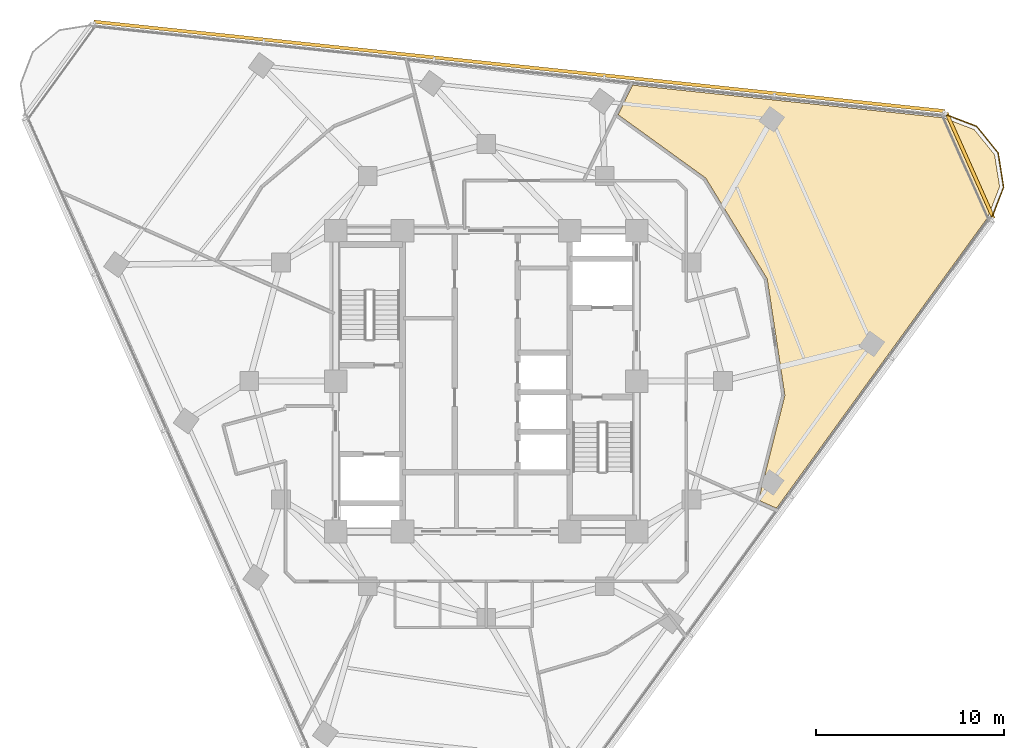
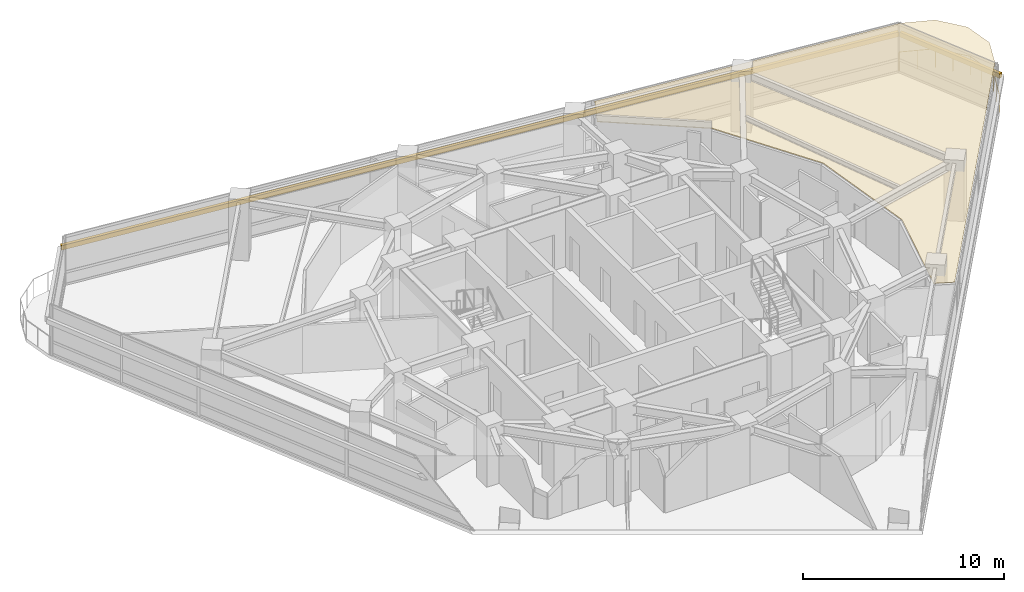
# One storey, part 15 of 15: 2 shading devices, 1 covering, 1 railing.
"""IFC4 building model written with IfcOpenShell, lengths in metres."""

from ifc_helpers import new_model, si_unit, direction, frame, origin, origin_2d, place, context, subcontext, project, spatial, polyline, rectangle, circle, outline, extrude, material, layer, layer_set, type_object, element, save


model = new_model("IFC4")

# Units and contexts
model_context = context("Model", 3, precision=1e-05, world=origin(), true_north=direction((0.0, 1.0)))
body_context = subcontext(model_context, "Body", "Model", "MODEL_VIEW")
ifc_project = project(units=[si_unit("LENGTHUNIT", "METRE"), si_unit("AREAUNIT", "SQUARE_METRE"), si_unit("VOLUMEUNIT", "CUBIC_METRE"), si_unit("PLANEANGLEUNIT", "RADIAN"), si_unit("MASSUNIT", "GRAM", prefix="KILO")], contexts=[model_context])

# Site, building, storey
site_placement = place(None, origin())
site = spatial("IfcSite", under=ifc_project, at=site_placement, CompositionType="ELEMENT")
building_placement = place(site_placement, origin())
building = spatial("IfcBuilding", under=site, at=building_placement, Name="Terralouvre Media Tower", CompositionType="ELEMENT")
storey_placement = place(building_placement, frame((0.0, 0.0, 237.39990234375)))
storey = spatial("IfcBuildingStorey", under=building, at=storey_placement, Name="L61", CompositionType="ELEMENT", Elevation=237.39990234375)

# Covering
ifc_material_1 = material(Name="Perforated aluminium acoustic ceiling baffle", Category="aluminium")
ifc_layer_1 = layer(ifc_material_1, 0.0400390625, Name="Perforated Acoustic Metal Tile Ceiling CL-AC1")
ifc_layer_set_1 = layer_set([ifc_layer_1], Name="Perforated aluminium acoustic ceiling baffle")
covering_type = type_object("IfcCoveringType", Name="Perforated Acoustic Metal Tile Ceiling CL-AC1", PredefinedType="CEILING", material=ifc_layer_set_1)
covering_placement = place(storey_placement, frame((0.0, 0.0, 2.97998046875), z_axis=(0.0, 0.0, 1.0), x_axis=(0.587785252292, 0.809016994375, 0.0)))
element("IfcCovering", 1, at=covering_placement, inside=storey, type_object=covering_type, Name="L61 Source Briefing Interview Room 7 Acoustic Ceiling", PredefinedType="CEILING", context=body_context, shape_type="SweptSolid", body=[
    extrude(outline(polyline([(15.59619140625, -3.08203125), (15.595703125, -3.091796875), (15.59423828125, -3.101806640625), (15.591796875, -3.111328125), (15.588623046875, -3.12060546875), (13.191162109375, -8.87353515625), (13.186767578125, -8.882568359375), (13.181640625, -8.89111328125), (13.17578125, -8.89892578125), (13.1689453125, -8.90625), (8.7333984375, -13.28466796875), (8.72607421875, -13.291259765625), (8.718017578125, -13.297119140625), (8.70947265625, -13.302001953125), (8.700439453125, -13.30615234375), (3.384033203125, -15.440185546875), (3.60205078125, -16.46484375), (22.72119140625, -16.464599609375), (24.4111328125, -16.011474609375), (25.627197265625, -14.7958984375), (26.072021484375, -13.134765625), (25.61962890625, -11.4443359375), (17.308837890625, 2.9501953125), (15.58349609375, 2.646240234375), (15.59619140625, -3.08203125)])), origin(), (0.0, 0.0, 1.0), 0.0400390625),
])

# Railing
ifc_material_2 = material(Name="Stainless steel 316 handrail and balustrade", Category="steel")
ifc_layer_2 = layer(ifc_material_2, 0.06005859375, Name="Roof Edge Safety Guardrail GR-ROOF1")
ifc_layer_set_2 = layer_set([ifc_layer_2], Name="Stainless steel 316 handrail and balustrade")
railing_type = type_object("IfcRailingType", Name="Roof Edge Safety Guardrail GR-ROOF1", PredefinedType="GUARDRAIL", material=ifc_layer_set_2)
railing_placement = place(storey_placement, frame((26.85595703125, 8.593505859375, 0.0)))
element("IfcRailing", 2, at=railing_placement, inside=storey, type_object=railing_type, Name="L61 Wind-Corner Perimeter Safety Guardrail C1", PredefinedType="GUARDRAIL", context=body_context, shape_type="SweptSolid", body=[
    extrude(circle(Radius=0.02099609375, at=origin_2d()), frame((0.0, 0.0, 1.12890625), z_axis=(0.358685184164, 0.933458589688, 0.0), x_axis=(-0.933458589688, 0.358685184164, 0.0)), (0.0, 0.0, 1.0), 1.837158203125),
    extrude(circle(Radius=0.02099609375, at=origin_2d()), frame((0.658935546875, 1.71484375, 1.12890625), z_axis=(-0.156310663238, 0.987707940921, 0.0), x_axis=(-0.987707940921, -0.156310663238, 0.0)), (0.0, 0.0, 1.0), 1.836669921875),
    extrude(circle(Radius=0.02099609375, at=origin_2d()), frame((0.371826171875, 3.529052734375, 1.12890625), z_axis=(-0.629481130122, 0.777015769995, 0.0), x_axis=(-0.777015769995, -0.629481130122, 0.0)), (0.0, 0.0, 1.0), 1.8369140625),
    extrude(circle(Radius=0.02099609375, at=origin_2d()), frame((-0.784423828125, 4.956298828125, 1.12890625), z_axis=(-0.933653545479, 0.358177409974, 0.0), x_axis=(-0.358177409974, -0.933653545479, 0.0)), (0.0, 0.0, 1.0), 1.8369140625),
    extrude(circle(Radius=0.01904296875, at=origin_2d()), origin(), (0.0, 0.0, 1.0), 1.10791015625),
    extrude(circle(Radius=0.01904296875, at=origin_2d()), frame((0.32958984375, 0.857421875, 0.0)), (0.0, 0.0, 1.0), 1.10791015625),
    extrude(circle(Radius=0.01904296875, at=origin_2d()), frame((0.658935546875, 1.71484375, 0.0)), (0.0, 0.0, 1.0), 1.10791015625),
    extrude(circle(Radius=0.01904296875, at=origin_2d()), frame((0.515380859375, 2.6220703125, 0.0)), (0.0, 0.0, 1.0), 1.10791015625),
    extrude(circle(Radius=0.01904296875, at=origin_2d()), frame((0.371826171875, 3.529052734375, 0.0)), (0.0, 0.0, 1.0), 1.10791015625),
    extrude(circle(Radius=0.01904296875, at=origin_2d()), frame((-0.206298828125, 4.24267578125, 0.0)), (0.0, 0.0, 1.0), 1.10791015625),
    extrude(circle(Radius=0.01904296875, at=origin_2d()), frame((-0.784423828125, 4.956298828125, 0.0)), (0.0, 0.0, 1.0), 1.10791015625),
    extrude(circle(Radius=0.01904296875, at=origin_2d()), frame((-1.64208984375, 5.28515625, 0.0)), (0.0, 0.0, 1.0), 1.10791015625),
    extrude(circle(Radius=0.01904296875, at=origin_2d()), frame((-2.49951171875, 5.6142578125, 0.0)), (0.0, 0.0, 1.0), 1.10791015625),
])

# Shading devices
ifc_material_3 = material(Name="Extruded terracotta baguette sunshade louvres", Category="masonry")
shading_device_type = type_object("IfcShadingDeviceType", Name="Terracotta Baguette Sunshade Louvre Screen TB-LV1", PredefinedType="USERDEFINED", material=ifc_material_3)
shading_device_1_placement = place(storey_placement, frame((1.758544921875, 16.732666015625, 2.02392578125), z_axis=(0.0, 0.0, 1.0), x_axis=(-0.994521885028, 0.104528561651, 0.0)))
element("IfcShadingDevice", 3, at=shading_device_1_placement, inside=storey, type_object=shading_device_type, Name="CW-L61-F1 Terracotta Baguette Sunshade Louvre", ObjectType="BAGUETTE", PredefinedType="USERDEFINED", context=body_context, shape_type="SweptSolid", body=[
    extrude(rectangle(XDim=45.5, YDim=0.179931640625, at=origin_2d()), origin(), (0.0, 0.0, 1.0), 0.280029296875),
])
shading_device_2_placement = place(storey_placement, frame((25.7294921875, 11.45556640625, 2.02392578125), z_axis=(0.0, 0.0, 1.0), x_axis=(-0.406737441315, 0.913545102243, 0.0)))
element("IfcShadingDevice", 4, at=shading_device_2_placement, inside=storey, type_object=shading_device_type, Name="CW-L61-C1 Terracotta Baguette Sunshade Louvre", ObjectType="BAGUETTE", PredefinedType="USERDEFINED", context=body_context, shape_type="SweptSolid", body=[
    extrude(rectangle(XDim=6.148681640625, YDim=0.179931640625, at=origin_2d()), origin(), (0.0, 0.0, 1.0), 0.280029296875),
])

save(model, "model.ifc")
